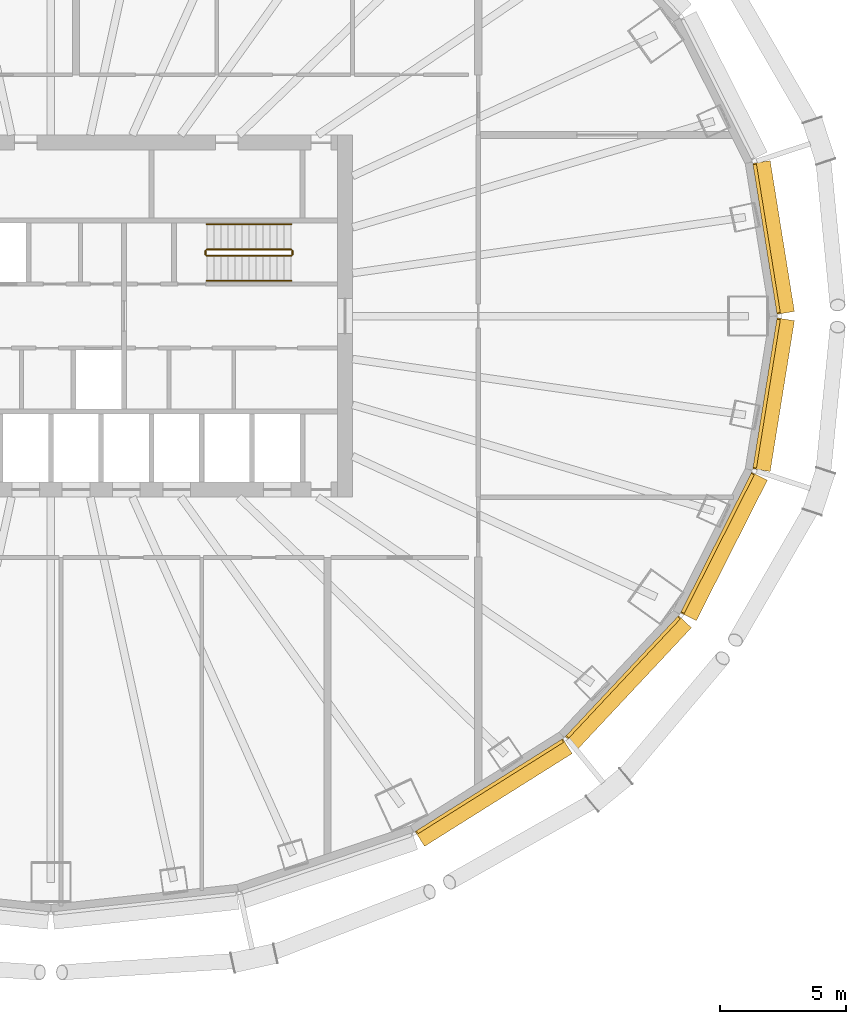
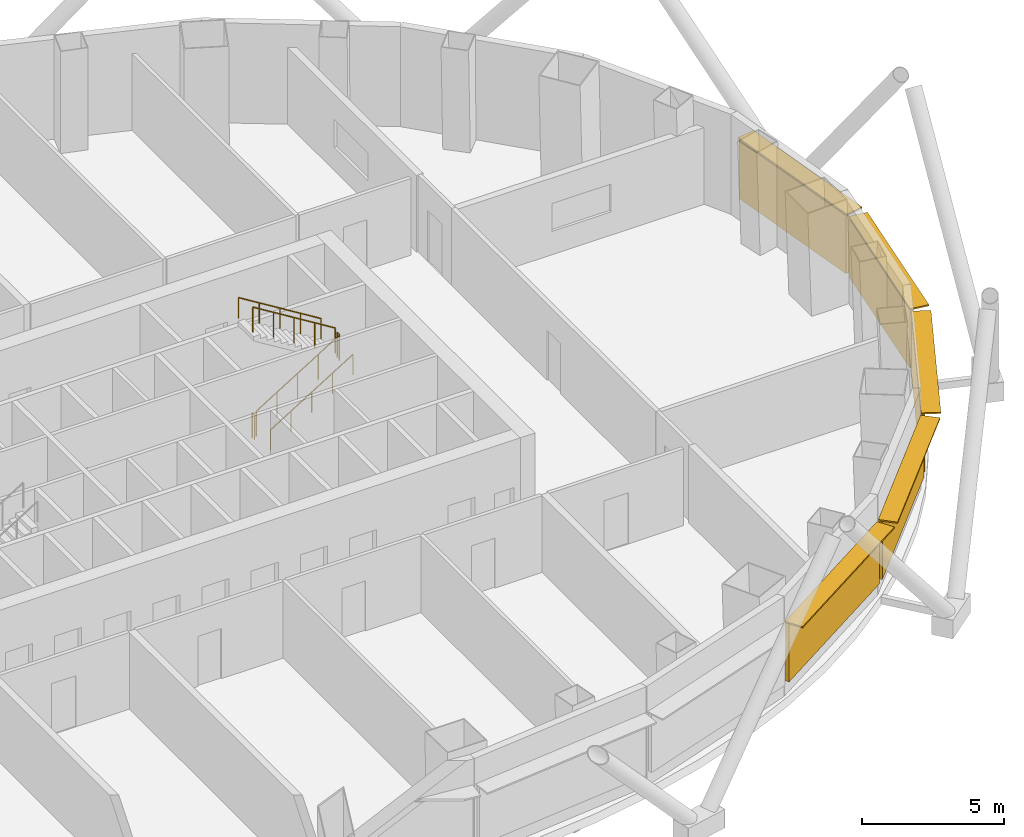
# One storey, part 13 of 14: 10 shading devices, 6 railings.
"""IFC4 building model written with IfcOpenShell, lengths in metres."""

import ifcopenshell
import ifcopenshell.guid

model = None  # the IFC model being written
_history = None  # IfcOwnerHistory: only IFC2X3 demands one
_inside = {}  # id of a spatial element -> (the spatial element, [elements in it])
_under = {}  # id of a project, library or spatial element -> (it, [spatial elements below it])
_declared = {}  # id of a project -> (the project, [libraries it declares])
_typed = {}  # id of a type object -> (the type object, [elements of that type])
_made_of = {}  # id of a material, layer set ... -> (it, [elements and type objects made of it])


def new_model(schema):
    """Start an empty IFC model of exactly this schema.

    Asked for "IFC4X3", IfcOpenShell would pick the latest addendum, in which some entities
    have other attributes; the version numbers below select the first issue.
    IFC2X3 requires an IfcOwnerHistory on every rooted entity: one is made here for all.
    """
    global model, _history
    if schema == "IFC4X3":
        model = ifcopenshell.file(schema_version=(4, 3, 0, 0))
    else:
        model = ifcopenshell.file(schema=schema)
    _inside.clear()
    _under.clear()
    _declared.clear()
    _typed.clear()
    _made_of.clear()
    _history = None
    if model.schema == "IFC2X3":
        org = make("IfcOrganization", Name="unknown")
        user = make(
            "IfcPersonAndOrganization",
            ThePerson=make("IfcPerson", FamilyName="unknown"),
            TheOrganization=org,
        )
        app = make(
            "IfcApplication",
            ApplicationDeveloper=org,
            Version="unknown",
            ApplicationFullName="unknown",
            ApplicationIdentifier="unknown",
        )
        _history = make(
            "IfcOwnerHistory",
            OwningUser=user,
            OwningApplication=app,
            ChangeAction="ADDED",
            CreationDate=0,
        )
    return model


def make(cls, **values):
    """One entity of the class cls with the attributes given. An attribute that is None is left unset."""
    return model.create_entity(
        cls, **{name: value for name, value in values.items() if value is not None}
    )


def rooted(cls, **values):
    """An entity with a GlobalId (a new one), such as an element, a storey or a relation."""
    return make(cls, GlobalId=ifcopenshell.guid.new(), OwnerHistory=_history, **values)


def si_unit(unit_type, name, prefix=None):
    """IfcSIUnit, for example si_unit("LENGTHUNIT", "METRE", prefix="MILLI")."""
    return make("IfcSIUnit", UnitType=unit_type, Prefix=prefix, Name=name)


def assignment(units):
    """IfcUnitAssignment: the units of a project."""
    return None if units is None else make("IfcUnitAssignment", Units=units)


def point(xyz):
    """IfcCartesianPoint."""
    return None if xyz is None else make("IfcCartesianPoint", Coordinates=xyz)


def direction(xyz):
    """IfcDirection."""
    return None if xyz is None else make("IfcDirection", DirectionRatios=xyz)


def frame(location, z_axis=None, x_axis=None):
    """IfcAxis2Placement3D, a coordinate frame: its origin and axes. An axis left out is left unset."""
    return make(
        "IfcAxis2Placement3D",
        Location=point(location),
        Axis=direction(z_axis),
        RefDirection=direction(x_axis),
    )


def frame_2d(location, x_axis=None):
    """IfcAxis2Placement2D, a coordinate frame in the plane: its origin and x axis."""
    return make(
        "IfcAxis2Placement2D", Location=point(location), RefDirection=direction(x_axis)
    )


def origin():
    """The frame at (0, 0, 0) with its axes left unset."""
    return frame((0.0, 0.0, 0.0))


def origin_2d():
    """The frame at (0, 0) in the plane with its x axis left unset."""
    return frame_2d((0.0, 0.0))


def place(relative_to, where):
    """IfcLocalPlacement: puts the frame where relative to a parent placement (None: the world)."""
    return make(
        "IfcLocalPlacement", PlacementRelTo=relative_to, RelativePlacement=where
    )


def context(
    kind, dimensions, precision=None, world=None, true_north=None, identifier=None
):
    """IfcGeometricRepresentationContext, for example the 3D "Model" context."""
    return make(
        "IfcGeometricRepresentationContext",
        ContextIdentifier=identifier,
        ContextType=kind,
        CoordinateSpaceDimension=dimensions,
        Precision=precision,
        WorldCoordinateSystem=world,
        TrueNorth=true_north,
    )


def subcontext(parent, identifier, kind, view, scale=None):
    """IfcGeometricRepresentationSubContext, for example "Body" below "Model"."""
    return make(
        "IfcGeometricRepresentationSubContext",
        ContextIdentifier=identifier,
        ContextType=kind,
        ParentContext=parent,
        TargetScale=scale,
        TargetView=view,
    )


def project(units=None, contexts=None):
    """IfcProject with its units and contexts."""
    return rooted(
        "IfcProject",
        Name="project",
        RepresentationContexts=contexts,
        UnitsInContext=assignment(units),
    )


def spatial(cls, under=None, at=None, **own):
    """A site, building, storey or space (cls), placed at a placement, below another one or the project."""
    s = rooted(cls, ObjectPlacement=at, **own)
    if under is not None:
        _under.setdefault(under.id(), (under, []))[1].append(s)
    return s


def profile(cls, at=None, kind="AREA", **sizes):
    """A parametric profile (cls). Its sizes go by their IFC names, for example OverallWidth=200.0."""
    return make(cls, ProfileType=kind, Position=at, **sizes)


def rectangle(**sizes):
    """IfcRectangleProfileDef."""
    return profile("IfcRectangleProfileDef", **sizes)


def circle(**sizes):
    """IfcCircleProfileDef."""
    return profile("IfcCircleProfileDef", **sizes)


def extrude(swept, where, along, depth):
    """IfcExtrudedAreaSolid: the profile swept, set in the frame where, extruded along a direction by depth."""
    return make(
        "IfcExtrudedAreaSolid",
        SweptArea=swept,
        Position=where,
        ExtrudedDirection=direction(along),
        Depth=depth,
    )


def shape(context_of_items, identifier, shape_type, items):
    """IfcShapeRepresentation: the items that make up one representation, for example the "Body"."""
    return make(
        "IfcShapeRepresentation",
        ContextOfItems=context_of_items,
        RepresentationIdentifier=identifier,
        RepresentationType=shape_type,
        Items=items,
    )


def material(Name=None, Category=None):
    """IfcMaterial."""
    return make("IfcMaterial", Name=Name, Category=Category)


def layer(
    of_material, thickness, ventilated=None, Name=None, Category=None, Priority=None
):
    """IfcMaterialLayer: one layer of a wall or slab, of a material (None: an air gap)."""
    return make(
        "IfcMaterialLayer",
        Material=of_material,
        LayerThickness=thickness,
        IsVentilated=ventilated,
        Name=Name,
        Category=Category,
        Priority=Priority,
    )


def layer_set(layers, Name=None):
    """IfcMaterialLayerSet."""
    return make("IfcMaterialLayerSet", MaterialLayers=layers, LayerSetName=Name)


def made_of(thing, what):
    """Note that an element or type object is made of a material, layer set ...; save() writes the relation."""
    if what is not None:
        _made_of.setdefault(what.id(), (what, []))[1].append(thing)
    return thing


def type_object(cls, material=None, **own):
    """A type object (cls), such as IfcWallType, which elements share."""
    return made_of(rooted(cls, **own), material)


def element(
    cls,
    number,
    at=None,
    inside=None,
    cuts=None,
    type_object=None,
    material=None,
    context=None,
    identifier="Body",
    shape_type=None,
    held_by="IfcProductDefinitionShape",
    body=None,
    shapes=None,
    **own,
):
    """One element of the class cls, such as IfcWall. Its Tag is "e" and its number.

    at: its placement. inside: the storey or other place that contains it. cuts: it is an
    opening in that element (IfcRelVoidsElement). A single representation is given by context,
    identifier, shape_type and body (its items); several are given by shapes. held_by: the class
    of the entity that holds the representations. save() writes the other relations.
    """
    e = rooted(cls, Tag="e%d" % number, ObjectPlacement=at, **own)
    if body is not None:
        shapes = [shape(context, identifier, shape_type, body)]
    if shapes is not None:
        e.Representation = make(held_by, Representations=shapes)
    if inside is not None:
        _inside.setdefault(inside.id(), (inside, []))[1].append(e)
    if cuts is not None:
        rooted(
            "IfcRelVoidsElement", RelatingBuildingElement=cuts, RelatedOpeningElement=e
        )
    if type_object is not None:
        _typed.setdefault(type_object.id(), (type_object, []))[1].append(e)
    return made_of(e, material)


def aggregate(whole, parts):
    """IfcRelAggregates: a whole, such as a stair, and the parts it consists of."""
    return rooted("IfcRelAggregates", RelatingObject=whole, RelatedObjects=parts)


def save(model, path):
    """Write the relations noted so far, then the file.

    IfcRelAggregates (storeys below a building ...), IfcRelContainedInSpatialStructure (elements
    in a storey), IfcRelDefinesByType, IfcRelAssociatesMaterial and IfcRelDeclares: one each for
    every whole, place, type object, material and project.
    """
    for whole, parts in _under.values():
        aggregate(whole, parts)
    for where, things in _inside.values():
        rooted(
            "IfcRelContainedInSpatialStructure",
            RelatedElements=things,
            RelatingStructure=where,
        )
    for kind, things in _typed.values():
        rooted("IfcRelDefinesByType", RelatedObjects=things, RelatingType=kind)
    for what, things in _made_of.values():
        rooted("IfcRelAssociatesMaterial", RelatedObjects=things, RelatingMaterial=what)
    for by, libraries in _declared.values():
        rooted("IfcRelDeclares", RelatingContext=by, RelatedDefinitions=libraries)
    model.write(path)


model = new_model("IFC4")

# Units and contexts
model_context = context("Model", 3, precision=1e-05, world=origin(), true_north=direction((0.0, 1.0)))
body_context = subcontext(model_context, "Body", "Model", "MODEL_VIEW")
ifc_project = project(units=[si_unit("LENGTHUNIT", "METRE"), si_unit("AREAUNIT", "SQUARE_METRE"), si_unit("VOLUMEUNIT", "CUBIC_METRE"), si_unit("PLANEANGLEUNIT", "RADIAN"), si_unit("MASSUNIT", "GRAM", prefix="KILO")], contexts=[model_context])

# Site, building, storey
site_placement = place(None, origin())
site = spatial("IfcSite", under=ifc_project, at=site_placement, CompositionType="ELEMENT")
building_placement = place(site_placement, origin())
building = spatial("IfcBuilding", under=site, at=building_placement, Name="Siaravel Broadcast Tower", CompositionType="ELEMENT")
storey_placement = place(building_placement, frame((0.0, 0.0, 20.0)))
storey = spatial("IfcBuildingStorey", under=building, at=storey_placement, Name="L03", CompositionType="ELEMENT", Elevation=20.0)

# Shading devices
ifc_material_1 = material(Name="Bronze anodised aluminium", Category="aluminium")
ifc_layer_1 = layer(ifc_material_1, 0.06005859375)
ifc_layer_set_1 = layer_set([ifc_layer_1], Name="Bronze anodised aluminium")
shading_device_type_1 = type_object("IfcShadingDeviceType", Name="Brise-soleil band", PredefinedType="USERDEFINED", material=ifc_layer_set_1)
shading_device_1_placement = place(storey_placement, frame((28.7509765625, 3.12890625, 3.1298828125), z_axis=(0.0, 0.0, 1.0), x_axis=(-0.158685394, 0.987329198, 0.0)))
element("IfcShadingDevice", 1, at=shading_device_1_placement, inside=storey, type_object=shading_device_type_1, Name="L03 brise-soleil band 01", ObjectType="SUNSHADE", PredefinedType="USERDEFINED", context=body_context, shape_type="SweptSolid", body=[
    extrude(rectangle(XDim=6.078125, YDim=0.699951171875, at=origin_2d()), origin(), (0.0, 0.0, 1.0), 0.06005859375),
])
shading_device_2_placement = place(storey_placement, frame((17.61328125, -18.9541015625, 3.1298828125), z_axis=(0.0, 0.0, 1.0), x_axis=(0.846651365, 0.532147974, 0.0)))
element("IfcShadingDevice", 2, at=shading_device_2_placement, inside=storey, type_object=shading_device_type_1, Name="L03 brise-soleil band 21", ObjectType="SUNSHADE", PredefinedType="USERDEFINED", context=body_context, shape_type="SweptSolid", body=[
    extrude(rectangle(XDim=6.9326171875, YDim=0.699951171875, at=origin_2d()), origin(), (0.0, 0.0, 1.0), 0.06005859375),
])
shading_device_3_placement = place(storey_placement, frame((22.973876953125, -14.5625, 3.1298828125), z_axis=(0.0, 0.0, 1.0), x_axis=(0.683655992, 0.729804415, 0.0)))
element("IfcShadingDevice", 3, at=shading_device_3_placement, inside=storey, type_object=shading_device_type_1, Name="L03 brise-soleil band 22", ObjectType="SUNSHADE", PredefinedType="USERDEFINED", context=body_context, shape_type="SweptSolid", body=[
    extrude(rectangle(XDim=6.584716796875, YDim=0.699951171875, at=origin_2d()), origin(), (0.0, 0.0, 1.0), 0.06005859375),
])
shading_device_4_placement = place(storey_placement, frame((26.776611328125, -9.166015625, 3.1298828125), z_axis=(0.0, 0.0, 1.0), x_axis=(0.451262289, 0.892391364, 0.0)))
element("IfcShadingDevice", 4, at=shading_device_4_placement, inside=storey, type_object=shading_device_type_1, Name="L03 brise-soleil band 23", ObjectType="SUNSHADE", PredefinedType="USERDEFINED", context=body_context, shape_type="SweptSolid", body=[
    extrude(rectangle(XDim=6.268310546875, YDim=0.699951171875, at=origin_2d()), origin(), (0.0, 0.0, 1.0), 0.06005859375),
])
shading_device_5_placement = place(storey_placement, frame((28.7509765625, -3.12890625, 3.1298828125), z_axis=(0.0, 0.0, 1.0), x_axis=(0.158685394, 0.987329198, 0.0)))
element("IfcShadingDevice", 5, at=shading_device_5_placement, inside=storey, type_object=shading_device_type_1, Name="L03 brise-soleil band 24", ObjectType="SUNSHADE", PredefinedType="USERDEFINED", context=body_context, shape_type="SweptSolid", body=[
    extrude(rectangle(XDim=6.078125, YDim=0.699951171875, at=origin_2d()), origin(), (0.0, 0.0, 1.0), 0.06005859375),
])
ifc_material_2 = material(Name="Precast concrete C40/50", Category="concrete")
ifc_layer_2 = layer(ifc_material_2, 0.139892578125)
ifc_layer_set_2 = layer_set([ifc_layer_2], Name="Precast concrete C40/50")
shading_device_type_2 = type_object("IfcShadingDeviceType", Name="Cobogo screen", PredefinedType="USERDEFINED", material=ifc_layer_set_2)
shading_device_6_placement = place(storey_placement, frame((28.474609375, 3.08447265625, 0.60009765625), z_axis=(0.0, 0.0, 1.0), x_axis=(-0.158685394, 0.987329198, 0.0)))
element("IfcShadingDevice", 6, at=shading_device_6_placement, inside=storey, type_object=shading_device_type_2, Name="L03 cobogo screen 01", ObjectType="SCREEN", PredefinedType="USERDEFINED", context=body_context, shape_type="SweptSolid", body=[
    extrude(rectangle(XDim=5.978271484375, YDim=0.139892578125, at=origin_2d()), origin(), (0.0, 0.0, 1.0), 2.5),
])
shading_device_7_placement = place(storey_placement, frame((17.464111328125, -18.71728515625, 0.60009765625), z_axis=(0.0, 0.0, 1.0), x_axis=(0.846651365, 0.532147974, 0.0)))
element("IfcShadingDevice", 7, at=shading_device_7_placement, inside=storey, type_object=shading_device_type_2, Name="L03 cobogo screen 21", ObjectType="SCREEN", PredefinedType="USERDEFINED", context=body_context, shape_type="SweptSolid", body=[
    extrude(rectangle(XDim=6.83251953125, YDim=0.139892578125, at=origin_2d()), origin(), (0.0, 0.0, 1.0), 2.5),
])
shading_device_8_placement = place(storey_placement, frame((22.769287109375, -14.37109375, 0.60009765625), z_axis=(0.0, 0.0, 1.0), x_axis=(0.683655992, 0.729804415, 0.0)))
element("IfcShadingDevice", 8, at=shading_device_8_placement, inside=storey, type_object=shading_device_type_2, Name="L03 cobogo screen 22", ObjectType="SCREEN", PredefinedType="USERDEFINED", context=body_context, shape_type="SweptSolid", body=[
    extrude(rectangle(XDim=6.48486328125, YDim=0.139892578125, at=origin_2d()), origin(), (0.0, 0.0, 1.0), 2.5),
])
shading_device_9_placement = place(storey_placement, frame((26.52685546875, -9.039794921875, 0.60009765625), z_axis=(0.0, 0.0, 1.0), x_axis=(0.451262289, 0.892391364, 0.0)))
element("IfcShadingDevice", 9, at=shading_device_9_placement, inside=storey, type_object=shading_device_type_2, Name="L03 cobogo screen 23", ObjectType="SCREEN", PredefinedType="USERDEFINED", context=body_context, shape_type="SweptSolid", body=[
    extrude(rectangle(XDim=6.168212890625, YDim=0.139892578125, at=origin_2d()), origin(), (0.0, 0.0, 1.0), 2.5),
])
shading_device_10_placement = place(storey_placement, frame((28.474609375, -3.08447265625, 0.60009765625), z_axis=(0.0, 0.0, 1.0), x_axis=(0.158685394, 0.987329198, 0.0)))
element("IfcShadingDevice", 10, at=shading_device_10_placement, inside=storey, type_object=shading_device_type_2, Name="L03 cobogo screen 24", ObjectType="SCREEN", PredefinedType="USERDEFINED", context=body_context, shape_type="SweptSolid", body=[
    extrude(rectangle(XDim=5.978271484375, YDim=0.139892578125, at=origin_2d()), origin(), (0.0, 0.0, 1.0), 2.5),
])

# Railings
ifc_material_3 = material(Name="Stainless steel 316L", Category="steel")
railing_type_1 = type_object("IfcRailingType", Name="Stair guard 1100", PredefinedType="GUARDRAIL", material=ifc_material_3)
railing_1_placement = place(storey_placement, frame((6.199951171875, 2.39990234375, 0.173095703125)))
element("IfcRailing", 11, at=railing_1_placement, inside=storey, type_object=railing_type_1, Name="L03 ST-2 stair guard 1", PredefinedType="GUARDRAIL", context=body_context, shape_type="SweptSolid", body=[
    extrude(circle(Radius=0.02392578125, at=origin_2d()), frame((0.0, 0.0, 1.076171875), z_axis=(0.850623217, 0.0, 0.525775754), x_axis=(0.0, 1.0, 0.0)), (0.0, 0.0, 1.0), 3.9501953125),
    extrude(circle(Radius=0.02099609375, at=origin_2d()), origin(), (0.0, 0.0, 1.0), 1.052001953125),
    extrude(circle(Radius=0.02099609375, at=origin_2d()), frame((0.840087890625, 0.0, 0.519287109375)), (0.0, 0.0, 1.0), 1.052001953125),
    extrude(circle(Radius=0.02099609375, at=origin_2d()), frame((1.68017578125, 0.0, 1.03857421875)), (0.0, 0.0, 1.0), 1.052001953125),
    extrude(circle(Radius=0.02099609375, at=origin_2d()), frame((2.52001953125, 0.0, 1.5576171875)), (0.0, 0.0, 1.0), 1.052001953125),
    extrude(circle(Radius=0.02099609375, at=origin_2d()), frame((3.360107421875, 0.0, 2.076904296875)), (0.0, 0.0, 1.0), 1.052001953125),
])
railing_2_placement = place(storey_placement, frame((9.610107421875, 2.449951171875, 2.25)))
element("IfcRailing", 12, at=railing_2_placement, inside=storey, type_object=railing_type_1, Name="L03 ST-2 stair guard 2", PredefinedType="GUARDRAIL", context=body_context, shape_type="SweptSolid", body=[
    extrude(circle(Radius=0.02392578125, at=origin_2d()), frame((0.0, 0.0, 1.076171875), z_axis=(0.0, 1.0, 0.0), x_axis=(-1.0, 0.0, 0.0)), (0.0, 0.0, 1.0), 0.150146484375),
    extrude(circle(Radius=0.02099609375, at=origin_2d()), origin(), (0.0, 0.0, 1.0), 1.052001953125),
    extrude(circle(Radius=0.02099609375, at=origin_2d()), frame((0.0, 0.150146484375, 0.0)), (0.0, 0.0, 1.0), 1.052001953125),
])
railing_3_placement = place(storey_placement, frame((9.56005859375, 2.64990234375, 2.423095703125)))
element("IfcRailing", 13, at=railing_3_placement, inside=storey, type_object=railing_type_1, Name="L03 ST-2 stair guard 3", PredefinedType="GUARDRAIL", context=body_context, shape_type="SweptSolid", body=[
    extrude(circle(Radius=0.02392578125, at=origin_2d()), frame((0.0, 0.0, 1.076171875), z_axis=(-0.850623217, 0.0, 0.525775754), x_axis=(0.0, -1.0, 0.0)), (0.0, 0.0, 1.0), 3.9501953125),
    extrude(circle(Radius=0.02099609375, at=origin_2d()), origin(), (0.0, 0.0, 1.0), 1.052001953125),
    extrude(circle(Radius=0.02099609375, at=origin_2d()), frame((-0.840087890625, 0.0, 0.519287109375)), (0.0, 0.0, 1.0), 1.052001953125),
    extrude(circle(Radius=0.02099609375, at=origin_2d()), frame((-1.68017578125, 0.0, 1.03857421875)), (0.0, 0.0, 1.0), 1.052001953125),
    extrude(circle(Radius=0.02099609375, at=origin_2d()), frame((-2.52001953125, 0.0, 1.5576171875)), (0.0, 0.0, 1.0), 1.052001953125),
    extrude(circle(Radius=0.02099609375, at=origin_2d()), frame((-3.360107421875, 0.0, 2.076904296875)), (0.0, 0.0, 1.0), 1.052001953125),
])
railing_4_placement = place(storey_placement, frame((6.14990234375, 2.449951171875, 0.0)))
element("IfcRailing", 14, at=railing_4_placement, inside=storey, type_object=railing_type_1, Name="L03 ST-2 stair guard 4", PredefinedType="GUARDRAIL", context=body_context, shape_type="SweptSolid", body=[
    extrude(circle(Radius=0.02392578125, at=origin_2d()), frame((0.0, 0.0, 1.076171875), z_axis=(0.0, 1.0, 0.0), x_axis=(-1.0, 0.0, 0.0)), (0.0, 0.0, 1.0), 0.150146484375),
    extrude(circle(Radius=0.02099609375, at=origin_2d()), origin(), (0.0, 0.0, 1.0), 1.052001953125),
    extrude(circle(Radius=0.02099609375, at=origin_2d()), frame((0.0, 0.150146484375, 0.0)), (0.0, 0.0, 1.0), 1.052001953125),
])
railing_type_2 = type_object("IfcRailingType", Name="Stair handrail 900", PredefinedType="HANDRAIL", material=ifc_material_3)
railing_5_placement = place(storey_placement, frame((6.199951171875, 1.39990234375, 0.173095703125)))
element("IfcRailing", 15, at=railing_5_placement, inside=storey, type_object=railing_type_2, Name="L03 ST-2 stair handrail 1", PredefinedType="HANDRAIL", context=body_context, shape_type="SweptSolid", body=[
    extrude(circle(Radius=0.02392578125, at=origin_2d()), frame((0.0, 0.0, 0.8759765625), z_axis=(0.850623217, 0.0, 0.525775754), x_axis=(0.0, 1.0, 0.0)), (0.0, 0.0, 1.0), 3.9501953125),
    extrude(circle(Radius=0.02099609375, at=origin_2d()), origin(), (0.0, 0.0, 1.0), 0.851806640625),
    extrude(circle(Radius=0.02099609375, at=origin_2d()), frame((0.840087890625, 0.0, 0.519287109375)), (0.0, 0.0, 1.0), 0.851806640625),
    extrude(circle(Radius=0.02099609375, at=origin_2d()), frame((1.68017578125, 0.0, 1.03857421875)), (0.0, 0.0, 1.0), 0.851806640625),
    extrude(circle(Radius=0.02099609375, at=origin_2d()), frame((2.52001953125, 0.0, 1.5576171875)), (0.0, 0.0, 1.0), 0.851806640625),
    extrude(circle(Radius=0.02099609375, at=origin_2d()), frame((3.360107421875, 0.0, 2.076904296875)), (0.0, 0.0, 1.0), 0.851806640625),
])
railing_6_placement = place(storey_placement, frame((9.56005859375, 3.64990234375, 2.423095703125)))
element("IfcRailing", 16, at=railing_6_placement, inside=storey, type_object=railing_type_2, Name="L03 ST-2 stair handrail 2", PredefinedType="HANDRAIL", context=body_context, shape_type="SweptSolid", body=[
    extrude(circle(Radius=0.02392578125, at=origin_2d()), frame((0.0, 0.0, 0.8759765625), z_axis=(-0.850623217, 0.0, 0.525775754), x_axis=(0.0, -1.0, 0.0)), (0.0, 0.0, 1.0), 3.9501953125),
    extrude(circle(Radius=0.02099609375, at=origin_2d()), origin(), (0.0, 0.0, 1.0), 0.851806640625),
    extrude(circle(Radius=0.02099609375, at=origin_2d()), frame((-0.840087890625, 0.0, 0.519287109375)), (0.0, 0.0, 1.0), 0.851806640625),
    extrude(circle(Radius=0.02099609375, at=origin_2d()), frame((-1.68017578125, 0.0, 1.03857421875)), (0.0, 0.0, 1.0), 0.851806640625),
    extrude(circle(Radius=0.02099609375, at=origin_2d()), frame((-2.52001953125, 0.0, 1.5576171875)), (0.0, 0.0, 1.0), 0.851806640625),
    extrude(circle(Radius=0.02099609375, at=origin_2d()), frame((-3.360107421875, 0.0, 2.076904296875)), (0.0, 0.0, 1.0), 0.851806640625),
])

save(model, "model.ifc")
